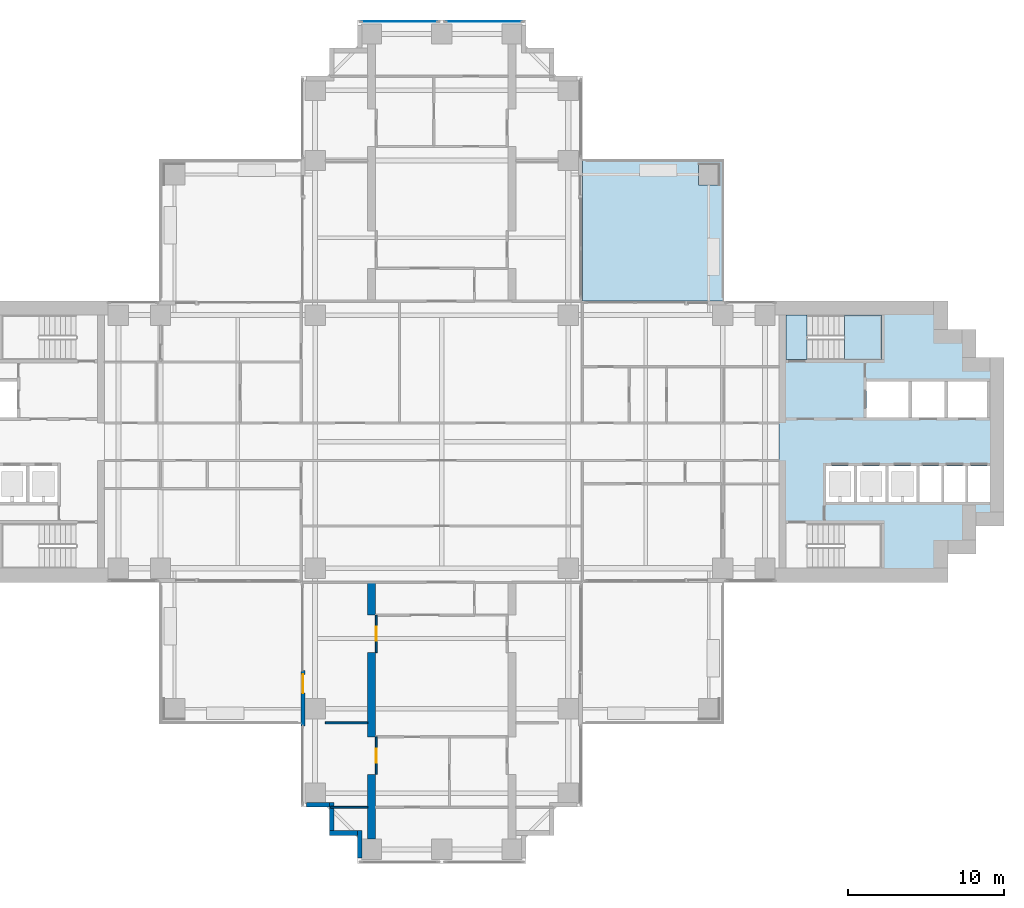
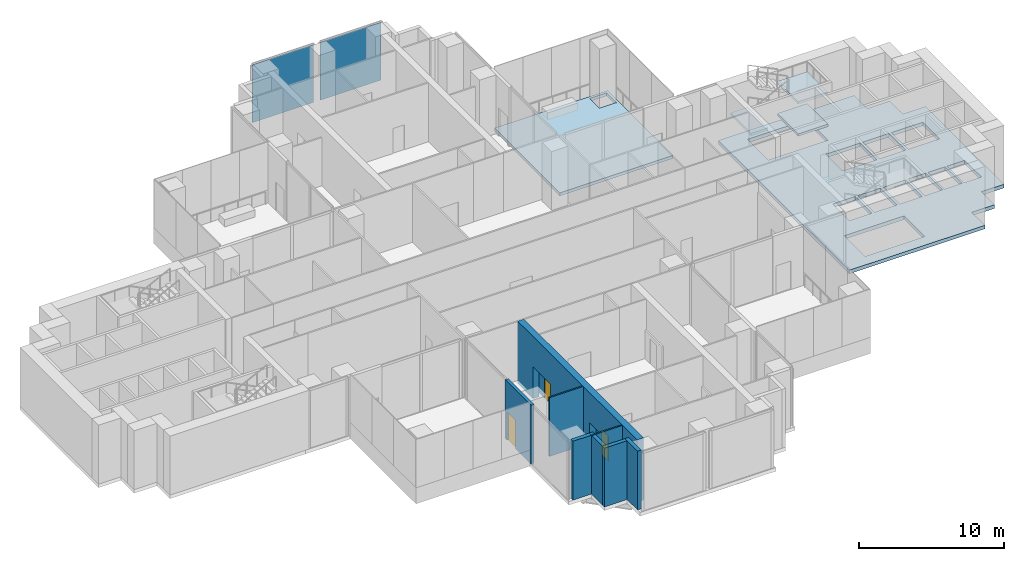
# One storey, part 6 of 17: 10 walls, 5 slabs, 3 doors, 2 plates, 3 openings, 3 elements without a shape of their own.
"""IFC4 building model written with IfcOpenShell, lengths in metres."""

import ifcopenshell
import ifcopenshell.guid

model = None  # the IFC model being written
_history = None  # IfcOwnerHistory: only IFC2X3 demands one
_inside = {}  # id of a spatial element -> (the spatial element, [elements in it])
_under = {}  # id of a project, library or spatial element -> (it, [spatial elements below it])
_declared = {}  # id of a project -> (the project, [libraries it declares])
_typed = {}  # id of a type object -> (the type object, [elements of that type])
_made_of = {}  # id of a material, layer set ... -> (it, [elements and type objects made of it])


def new_model(schema):
    """Start an empty IFC model of exactly this schema.

    Asked for "IFC4X3", IfcOpenShell would pick the latest addendum, in which some entities
    have other attributes; the version numbers below select the first issue.
    IFC2X3 requires an IfcOwnerHistory on every rooted entity: one is made here for all.
    """
    global model, _history
    if schema == "IFC4X3":
        model = ifcopenshell.file(schema_version=(4, 3, 0, 0))
    else:
        model = ifcopenshell.file(schema=schema)
    _inside.clear()
    _under.clear()
    _declared.clear()
    _typed.clear()
    _made_of.clear()
    _history = None
    if model.schema == "IFC2X3":
        org = make("IfcOrganization", Name="unknown")
        user = make(
            "IfcPersonAndOrganization",
            ThePerson=make("IfcPerson", FamilyName="unknown"),
            TheOrganization=org,
        )
        app = make(
            "IfcApplication",
            ApplicationDeveloper=org,
            Version="unknown",
            ApplicationFullName="unknown",
            ApplicationIdentifier="unknown",
        )
        _history = make(
            "IfcOwnerHistory",
            OwningUser=user,
            OwningApplication=app,
            ChangeAction="ADDED",
            CreationDate=0,
        )
    return model


def make(cls, **values):
    """One entity of the class cls with the attributes given. An attribute that is None is left unset."""
    return model.create_entity(
        cls, **{name: value for name, value in values.items() if value is not None}
    )


def rooted(cls, **values):
    """An entity with a GlobalId (a new one), such as an element, a storey or a relation."""
    return make(cls, GlobalId=ifcopenshell.guid.new(), OwnerHistory=_history, **values)


def si_unit(unit_type, name, prefix=None):
    """IfcSIUnit, for example si_unit("LENGTHUNIT", "METRE", prefix="MILLI")."""
    return make("IfcSIUnit", UnitType=unit_type, Prefix=prefix, Name=name)


def assignment(units):
    """IfcUnitAssignment: the units of a project."""
    return None if units is None else make("IfcUnitAssignment", Units=units)


def point(xyz):
    """IfcCartesianPoint."""
    return None if xyz is None else make("IfcCartesianPoint", Coordinates=xyz)


def direction(xyz):
    """IfcDirection."""
    return None if xyz is None else make("IfcDirection", DirectionRatios=xyz)


def frame(location, z_axis=None, x_axis=None):
    """IfcAxis2Placement3D, a coordinate frame: its origin and axes. An axis left out is left unset."""
    return make(
        "IfcAxis2Placement3D",
        Location=point(location),
        Axis=direction(z_axis),
        RefDirection=direction(x_axis),
    )


def frame_2d(location, x_axis=None):
    """IfcAxis2Placement2D, a coordinate frame in the plane: its origin and x axis."""
    return make(
        "IfcAxis2Placement2D", Location=point(location), RefDirection=direction(x_axis)
    )


def origin():
    """The frame at (0, 0, 0) with its axes left unset."""
    return frame((0.0, 0.0, 0.0))


def origin_2d():
    """The frame at (0, 0) in the plane with its x axis left unset."""
    return frame_2d((0.0, 0.0))


def place(relative_to, where):
    """IfcLocalPlacement: puts the frame where relative to a parent placement (None: the world)."""
    return make(
        "IfcLocalPlacement", PlacementRelTo=relative_to, RelativePlacement=where
    )


def context(
    kind, dimensions, precision=None, world=None, true_north=None, identifier=None
):
    """IfcGeometricRepresentationContext, for example the 3D "Model" context."""
    return make(
        "IfcGeometricRepresentationContext",
        ContextIdentifier=identifier,
        ContextType=kind,
        CoordinateSpaceDimension=dimensions,
        Precision=precision,
        WorldCoordinateSystem=world,
        TrueNorth=true_north,
    )


def subcontext(parent, identifier, kind, view, scale=None):
    """IfcGeometricRepresentationSubContext, for example "Body" below "Model"."""
    return make(
        "IfcGeometricRepresentationSubContext",
        ContextIdentifier=identifier,
        ContextType=kind,
        ParentContext=parent,
        TargetScale=scale,
        TargetView=view,
    )


def project(units=None, contexts=None):
    """IfcProject with its units and contexts."""
    return rooted(
        "IfcProject",
        Name="project",
        RepresentationContexts=contexts,
        UnitsInContext=assignment(units),
    )


def spatial(cls, under=None, at=None, **own):
    """A site, building, storey or space (cls), placed at a placement, below another one or the project."""
    s = rooted(cls, ObjectPlacement=at, **own)
    if under is not None:
        _under.setdefault(under.id(), (under, []))[1].append(s)
    return s


def polyline(points):
    """IfcPolyline through the points."""
    return make("IfcPolyline", Points=[point(p) for p in points])


def profile(cls, at=None, kind="AREA", **sizes):
    """A parametric profile (cls). Its sizes go by their IFC names, for example OverallWidth=200.0."""
    return make(cls, ProfileType=kind, Position=at, **sizes)


def rectangle(**sizes):
    """IfcRectangleProfileDef."""
    return profile("IfcRectangleProfileDef", **sizes)


def outline(outer, holes=None, kind="AREA"):
    """IfcArbitraryClosedProfileDef: a profile drawn as a closed curve; with holes, ...WithVoids."""
    if holes is None:
        return make("IfcArbitraryClosedProfileDef", ProfileType=kind, OuterCurve=outer)
    return make(
        "IfcArbitraryProfileDefWithVoids",
        ProfileType=kind,
        OuterCurve=outer,
        InnerCurves=holes,
    )


def extrude(swept, where, along, depth):
    """IfcExtrudedAreaSolid: the profile swept, set in the frame where, extruded along a direction by depth."""
    return make(
        "IfcExtrudedAreaSolid",
        SweptArea=swept,
        Position=where,
        ExtrudedDirection=direction(along),
        Depth=depth,
    )


def shape(context_of_items, identifier, shape_type, items):
    """IfcShapeRepresentation: the items that make up one representation, for example the "Body"."""
    return make(
        "IfcShapeRepresentation",
        ContextOfItems=context_of_items,
        RepresentationIdentifier=identifier,
        RepresentationType=shape_type,
        Items=items,
    )


def material(Name=None, Category=None):
    """IfcMaterial."""
    return make("IfcMaterial", Name=Name, Category=Category)


def layer(
    of_material, thickness, ventilated=None, Name=None, Category=None, Priority=None
):
    """IfcMaterialLayer: one layer of a wall or slab, of a material (None: an air gap)."""
    return make(
        "IfcMaterialLayer",
        Material=of_material,
        LayerThickness=thickness,
        IsVentilated=ventilated,
        Name=Name,
        Category=Category,
        Priority=Priority,
    )


def layer_set(layers, Name=None):
    """IfcMaterialLayerSet."""
    return make("IfcMaterialLayerSet", MaterialLayers=layers, LayerSetName=Name)


def material_profile(
    of_material, cross_section, Name=None, Category=None, Priority=None
):
    """IfcMaterialProfile: a cross section and its material."""
    return make(
        "IfcMaterialProfile",
        Name=Name,
        Material=of_material,
        Profile=cross_section,
        Priority=Priority,
        Category=Category,
    )


def profile_set(profiles, Name=None, composite=None):
    """IfcMaterialProfileSet."""
    return make(
        "IfcMaterialProfileSet",
        Name=Name,
        MaterialProfiles=profiles,
        CompositeProfile=composite,
    )


def made_of(thing, what):
    """Note that an element or type object is made of a material, layer set ...; save() writes the relation."""
    if what is not None:
        _made_of.setdefault(what.id(), (what, []))[1].append(thing)
    return thing


def type_object(cls, material=None, **own):
    """A type object (cls), such as IfcWallType, which elements share."""
    return made_of(rooted(cls, **own), material)


def element(
    cls,
    number,
    at=None,
    inside=None,
    cuts=None,
    type_object=None,
    material=None,
    context=None,
    identifier="Body",
    shape_type=None,
    held_by="IfcProductDefinitionShape",
    body=None,
    shapes=None,
    **own,
):
    """One element of the class cls, such as IfcWall. Its Tag is "e" and its number.

    at: its placement. inside: the storey or other place that contains it. cuts: it is an
    opening in that element (IfcRelVoidsElement). A single representation is given by context,
    identifier, shape_type and body (its items); several are given by shapes. held_by: the class
    of the entity that holds the representations. save() writes the other relations.
    """
    e = rooted(cls, Tag="e%d" % number, ObjectPlacement=at, **own)
    if body is not None:
        shapes = [shape(context, identifier, shape_type, body)]
    if shapes is not None:
        e.Representation = make(held_by, Representations=shapes)
    if inside is not None:
        _inside.setdefault(inside.id(), (inside, []))[1].append(e)
    if cuts is not None:
        rooted(
            "IfcRelVoidsElement", RelatingBuildingElement=cuts, RelatedOpeningElement=e
        )
    if type_object is not None:
        _typed.setdefault(type_object.id(), (type_object, []))[1].append(e)
    return made_of(e, material)


def fill(opening, filler):
    """IfcRelFillsElement: the door or window that sits in an opening."""
    return rooted(
        "IfcRelFillsElement",
        RelatingOpeningElement=opening,
        RelatedBuildingElement=filler,
    )


def aggregate(whole, parts):
    """IfcRelAggregates: a whole, such as a stair, and the parts it consists of."""
    return rooted("IfcRelAggregates", RelatingObject=whole, RelatedObjects=parts)


def save(model, path):
    """Write the relations noted so far, then the file.

    IfcRelAggregates (storeys below a building ...), IfcRelContainedInSpatialStructure (elements
    in a storey), IfcRelDefinesByType, IfcRelAssociatesMaterial and IfcRelDeclares: one each for
    every whole, place, type object, material and project.
    """
    for whole, parts in _under.values():
        aggregate(whole, parts)
    for where, things in _inside.values():
        rooted(
            "IfcRelContainedInSpatialStructure",
            RelatedElements=things,
            RelatingStructure=where,
        )
    for kind, things in _typed.values():
        rooted("IfcRelDefinesByType", RelatedObjects=things, RelatingType=kind)
    for what, things in _made_of.values():
        rooted("IfcRelAssociatesMaterial", RelatedObjects=things, RelatingMaterial=what)
    for by, libraries in _declared.values():
        rooted("IfcRelDeclares", RelatingContext=by, RelatedDefinitions=libraries)
    model.write(path)


model = new_model("IFC4")

# Units and contexts
model_context = context("Model", 3, precision=1e-05, world=origin(), true_north=direction((0.0, 1.0)))
body_context = subcontext(model_context, "Body", "Model", "MODEL_VIEW")
ifc_project = project(units=[si_unit("LENGTHUNIT", "METRE"), si_unit("AREAUNIT", "SQUARE_METRE"), si_unit("VOLUMEUNIT", "CUBIC_METRE"), si_unit("PLANEANGLEUNIT", "RADIAN"), si_unit("MASSUNIT", "GRAM", prefix="KILO")], contexts=[model_context])

# Site, building, storey
site_placement = place(None, origin())
site = spatial("IfcSite", under=ifc_project, at=site_placement, CompositionType="ELEMENT")
building_placement = place(site_placement, origin())
building = spatial("IfcBuilding", under=site, at=building_placement, Name="Perihelion Cross Residences", CompositionType="ELEMENT")
storey_placement = place(building_placement, frame((0.0, 0.0, 92.5)))
storey = spatial("IfcBuildingStorey", under=building, at=storey_placement, Name="L21", CompositionType="ELEMENT", Elevation=92.5)

# Curtain wall, plate
ifc_material_1 = material(Name="Bronze anodised aluminium, tinted glazing", Category="aluminium")
curtain_wall_type = type_object("IfcCurtainWallType", Name="CW3", PredefinedType="NOTDEFINED", material=ifc_material_1)
curtain_wall_1_placement = place(storey_placement, origin())
curtain_wall_1 = element("IfcCurtainWall", 1, at=curtain_wall_1_placement, inside=storey, type_object=curtain_wall_type, Name="Curtain wall CW3 L21 north tip north bay 1", PredefinedType="NOTDEFINED")
ifc_material_2 = material(Name="Tinted laminated glass", Category="glass")
ifc_layer_1 = layer(ifc_material_2, 0.035888671875)
ifc_layer_set_1 = layer_set([ifc_layer_1], Name="CW3 panel")
plate_type = type_object("IfcPlateType", Name="CW3 panel", PredefinedType="CURTAIN_PANEL", material=ifc_layer_set_1)
plate_1_placement = place(storey_placement, frame((2.699951171875, 26.89990234375, 0.0), z_axis=(0.0, 0.0, 1.0), x_axis=(-1.0, 0.0, 0.0)))
plate_1 = element("IfcPlate", 2, at=plate_1_placement, type_object=plate_type, Name="CW3 panel 1", PredefinedType="CURTAIN_PANEL", context=body_context, shape_type="SweptSolid", body=[
    extrude(rectangle(XDim=4.840087890625, YDim=0.035888671875, at=origin_2d()), origin(), (0.0, 0.0, 1.0), 4.8701171875),
])
aggregate(curtain_wall_1, [plate_1])

curtain_wall_2_placement = place(storey_placement, origin())
curtain_wall_2 = element("IfcCurtainWall", 3, at=curtain_wall_2_placement, inside=storey, type_object=curtain_wall_type, Name="Curtain wall CW3 L21 north tip north bay 2", PredefinedType="NOTDEFINED")
plate_2_placement = place(storey_placement, frame((-2.699951171875, 26.89990234375, 0.0), z_axis=(0.0, 0.0, 1.0), x_axis=(-1.0, 0.0, 0.0)))
plate_2 = element("IfcPlate", 4, at=plate_2_placement, type_object=plate_type, Name="CW3 panel 1", PredefinedType="CURTAIN_PANEL", context=body_context, shape_type="SweptSolid", body=[
    extrude(rectangle(XDim=4.840087890625, YDim=0.035888671875, at=origin_2d()), origin(), (0.0, 0.0, 1.0), 4.8701171875),
])
aggregate(curtain_wall_2, [plate_2])

# Slabs
ifc_material_3 = material(Name="Concrete C40/50", Category="concrete")
ifc_layer_2 = layer(ifc_material_3, 0.300048828125)
ifc_layer_set_2 = layer_set([ifc_layer_2], Name="Core floor slab 300")
slab_type_1 = type_object("IfcSlabType", Name="Core floor slab 300", PredefinedType="FLOOR", material=ifc_layer_set_2)
slab_1_placement = place(storey_placement, frame((0.0, 0.0, -0.300048828125)))
element("IfcSlab", 5, at=slab_1_placement, inside=storey, type_object=slab_type_1, Name="East core floor slab", PredefinedType="FLOOR", context=body_context, shape_type="SweptSolid", body=[
    extrude(outline(polyline([(32.39990234375, 7.199951171875), (34.199951171875, 7.199951171875), (34.199951171875, 5.39990234375), (36.0, 5.39990234375), (36.0, -5.39990234375), (34.199951171875, -5.39990234375), (34.199951171875, -7.199951171875), (32.39990234375, -7.199951171875), (32.39990234375, -9.0), (21.60009765625, -9.0), (21.60009765625, 9.0), (32.39990234375, 9.0), (32.39990234375, 7.199951171875)]), holes=[polyline([(23.405029296875, -8.10009765625), (28.14990234375, -8.10009765625), (28.14990234375, -5.25), (23.405029296875, -5.25), (23.405029296875, -8.10009765625)]), polyline([(24.60009765625, -1.550048828125), (24.60009765625, -3.85009765625), (26.39990234375, -3.85009765625), (26.39990234375, -1.550048828125), (24.60009765625, -1.550048828125)]), polyline([(26.60009765625, -1.550048828125), (26.60009765625, -3.85009765625), (28.39990234375, -3.85009765625), (28.39990234375, -1.550048828125), (26.60009765625, -1.550048828125)]), polyline([(30.39990234375, -1.550048828125), (28.60009765625, -1.550048828125), (28.60009765625, -3.85009765625), (30.39990234375, -3.85009765625), (30.39990234375, -1.550048828125)]), polyline([(29.89990234375, 3.85009765625), (27.199951171875, 3.85009765625), (27.199951171875, 1.550048828125), (29.89990234375, 1.550048828125), (29.89990234375, 3.85009765625)]), polyline([(23.405029296875, 5.25), (28.14990234375, 5.25), (28.14990234375, 8.10009765625), (23.405029296875, 8.10009765625), (23.405029296875, 5.25)]), polyline([(32.0, -1.550048828125), (30.60009765625, -1.550048828125), (30.60009765625, -3.85009765625), (32.0, -3.85009765625), (32.0, -1.550048828125)]), polyline([(33.550048828125, -1.550048828125), (32.14990234375, -1.550048828125), (32.14990234375, -3.85009765625), (33.550048828125, -3.85009765625), (33.550048828125, -1.550048828125)]), polyline([(33.699951171875, -1.550048828125), (33.699951171875, -3.85009765625), (35.10009765625, -3.85009765625), (35.10009765625, -1.550048828125), (33.699951171875, -1.550048828125)]), polyline([(32.199951171875, 3.85009765625), (30.10009765625, 3.85009765625), (30.10009765625, 1.550048828125), (32.199951171875, 1.550048828125), (32.199951171875, 3.85009765625)]), polyline([(34.89990234375, 3.85009765625), (32.39990234375, 3.85009765625), (32.39990234375, 1.550048828125), (34.89990234375, 1.550048828125), (34.89990234375, 3.85009765625)])]), origin(), (0.0, 0.0, 1.0), 0.300048828125),
])
ifc_material_4 = material(Name="Concrete C40/50", Category="concrete")
ifc_layer_3 = layer(ifc_material_4, 0.25)
ifc_layer_set_3 = layer_set([ifc_layer_3], Name="Corner terrace slab")
slab_type_2 = type_object("IfcSlabType", Name="Corner terrace slab", PredefinedType="FLOOR", material=ifc_layer_set_3)
slab_2_placement = place(storey_placement, frame((0.0, 0.0, -0.25)))
element("IfcSlab", 6, at=slab_2_placement, inside=storey, type_object=slab_type_2, Name="Slab BK2 L21 pocket north-east", PredefinedType="FLOOR", context=body_context, shape_type="SweptSolid", body=[
    extrude(outline(polyline([(18.0, 9.0), (18.0, 18.0), (9.0, 18.0), (9.0, 9.0), (18.0, 9.0)]), holes=[polyline([(16.449951171875, 16.449951171875), (16.449951171875, 17.7900390625), (17.7900390625, 17.7900390625), (17.7900390625, 16.409912109375), (17.75, 16.409912109375), (17.75, 16.449951171875), (16.449951171875, 16.449951171875)])]), origin(), (0.0, 0.0, 1.0), 0.25),
])

# Stair, slabs
ifc_material_5 = material(Name="Concrete C40/50", Category="concrete")
stair_type = type_object("IfcStairType", Name="Exit stair, half-turn", PredefinedType="HALF_TURN_STAIR", material=ifc_material_5)
stair_placement = place(storey_placement, origin())
stair = element("IfcStair", 7, at=stair_placement, inside=storey, type_object=stair_type, Name="L21 East core exit stair 1", PredefinedType="HALF_TURN_STAIR")
ifc_material_6 = material(Name="Concrete C40/50", Category="concrete")
ifc_layer_4 = layer(ifc_material_6, 0.199951171875)
ifc_layer_set_4 = layer_set([ifc_layer_4], Name="Exit stair landing 200")
slab_type_3 = type_object("IfcSlabType", Name="Exit stair landing 200", PredefinedType="LANDING", material=ifc_layer_set_4)
slab_3_placement = place(storey_placement, frame((0.0, 0.0, 1.14990234375)))
slab_3 = element("IfcSlab", 8, at=slab_3_placement, type_object=slab_type_3, Name="ST-E1 landing 1", PredefinedType="LANDING", context=body_context, shape_type="SweptSolid", body=[
    extrude(outline(polyline([(25.780029296875, 5.25), (28.14990234375, 5.25), (28.14990234375, 8.10009765625), (25.780029296875, 8.10009765625), (25.780029296875, 5.25)])), origin(), (0.0, 0.0, 1.0), 0.2001953125),
])
slab_4_placement = place(storey_placement, frame((0.0, 0.0, 2.5)))
slab_4 = element("IfcSlab", 9, at=slab_4_placement, type_object=slab_type_3, Name="ST-E1 landing 2", PredefinedType="LANDING", context=body_context, shape_type="SweptSolid", body=[
    extrude(outline(polyline([(22.050048828125, 5.25), (23.39990234375, 5.25), (23.39990234375, 8.10009765625), (22.050048828125, 8.10009765625), (22.050048828125, 5.25)])), origin(), (0.0, 0.0, 1.0), 0.199951171875),
])
slab_5_placement = place(storey_placement, frame((0.0, 0.0, 3.85009765625)))
slab_5 = element("IfcSlab", 10, at=slab_5_placement, type_object=slab_type_3, Name="ST-E1 landing 3", PredefinedType="LANDING", context=body_context, shape_type="SweptSolid", body=[
    extrude(outline(polyline([(25.780029296875, 5.25), (28.14990234375, 5.25), (28.14990234375, 8.10009765625), (25.780029296875, 8.10009765625), (25.780029296875, 5.25)])), origin(), (0.0, 0.0, 1.0), 0.199951171875),
])
aggregate(stair, [slab_3, slab_4, slab_5])

# Wall, opening, door
ifc_material_7 = material(Name="Concrete C30/37, bronze-clad", Category="concrete")
ifc_layer_5 = layer(ifc_material_7, 0.25)
ifc_layer_set_5 = layer_set([ifc_layer_5], Name="Bronze-clad pier wall 250")
wall_type_1 = type_object("IfcWallType", Name="Bronze-clad pier wall 250", PredefinedType="SOLIDWALL", material=ifc_layer_set_5)
wall_1_placement = place(storey_placement, frame((-8.875, -14.64990234375, 0.0), z_axis=(0.0, 0.0, 1.0), x_axis=(0.0, -1.0, 0.0)))
wall_1 = element("IfcWall", 11, at=wall_1_placement, inside=storey, type_object=wall_type_1, Name="Wall FW1 L21 south side west bay 1 pier", PredefinedType="SOLIDWALL", context=body_context, shape_type="SweptSolid", body=[
    extrude(rectangle(XDim=3.550048828125, YDim=0.25, at=frame_2d((1.77490234375, 0.0))), origin(), (0.0, 0.0, 1.0), 4.949951171875),
])
opening_1_placement = place(wall_1_placement, frame((0.25, 0.0, 0.0)))
opening_1 = element("IfcOpeningElement", 12, at=opening_1_placement, cuts=wall_1, Name="Opening L21.E06", PredefinedType="OPENING", context=body_context, shape_type="SweptSolid", body=[
    extrude(rectangle(XDim=1.199951171875, YDim=2.39990234375, at=frame_2d((0.60009765625, 1.199951171875))), frame((0.0, 0.135009765625, 0.0), z_axis=(0.0, -1.0, 0.0), x_axis=(1.0, 0.0, 0.0)), (0.0, 0.0, 1.0), 0.27001953125),
])
ifc_material_8 = material(Name="Bronze anodised aluminium, glazed", Category="aluminium")
door_type_1 = type_object("IfcDoorType", Name="Balcony door 1200 x 2400", OperationType="NOTDEFINED", PredefinedType="DOOR", material=ifc_material_8)
door_1_placement = place(opening_1_placement, origin())
door_1 = element("IfcDoor", 13, at=door_1_placement, inside=storey, type_object=door_type_1, Name="Door L21.E06 south side west bay 1", OperationType="SINGLE_SWING_LEFT", OverallHeight=2.39990234375, OverallWidth=1.199951171875, PredefinedType="DOOR", context=body_context, shape_type="SweptSolid", body=[
    extrude(rectangle(XDim=1.199951171875, YDim=2.39990234375, at=frame_2d((0.60009765625, 1.199951171875))), frame((0.0, 0.02490234375, 0.0), z_axis=(0.0, -1.0, 0.0), x_axis=(1.0, 0.0, 0.0)), (0.0, 0.0, 1.0), 0.050048828125),
])
fill(opening_1, door_1)

# Walls
ifc_material_9 = material(Name="Concrete C30/37, bronze-clad", Category="concrete")
ifc_layer_6 = layer(ifc_material_9, 0.300048828125)
ifc_layer_set_6 = layer_set([ifc_layer_6], Name="Bronze-clad serration wall 300")
wall_type_2 = type_object("IfcWallType", Name="Bronze-clad serration wall 300", PredefinedType="SOLIDWALL", material=ifc_layer_set_6)
wall_2_placement = place(storey_placement, frame((-8.64990234375, -23.25, 0.0), z_axis=(0.0, 0.0, 1.0), x_axis=(1.0, 0.0, 0.0)))
element("IfcWall", 14, at=wall_2_placement, inside=storey, type_object=wall_type_2, Name="Wall SR1 L21 south corner south-west 1", PredefinedType="SOLIDWALL", context=body_context, shape_type="SweptSolid", body=[
    extrude(rectangle(XDim=1.449951171875, YDim=0.300048828125, at=frame_2d((0.72509765625, 0.0))), origin(), (0.0, 0.0, 1.0), 4.949951171875),
])
wall_3_placement = place(storey_placement, frame((-7.050048828125, -23.10009765625, 0.0), z_axis=(0.0, 0.0, 1.0), x_axis=(0.0, -1.0, 0.0)))
element("IfcWall", 15, at=wall_3_placement, inside=storey, type_object=wall_type_2, Name="Wall SR1 L21 south corner south-west 2", PredefinedType="SOLIDWALL", context=body_context, shape_type="SweptSolid", body=[
    extrude(rectangle(XDim=1.7998046875, YDim=0.300048828125, at=frame_2d((0.89990234375, 0.0))), origin(), (0.0, 0.0, 1.0), 4.949951171875),
])
wall_4_placement = place(storey_placement, frame((-7.199951171875, -25.050048828125, 0.0), z_axis=(0.0, 0.0, 1.0), x_axis=(1.0, 0.0, 0.0)))
element("IfcWall", 16, at=wall_4_placement, inside=storey, type_object=wall_type_2, Name="Wall SR1 L21 south corner south-west 3", PredefinedType="SOLIDWALL", context=body_context, shape_type="SweptSolid", body=[
    extrude(rectangle(XDim=1.800048828125, YDim=0.300048828125, at=frame_2d((0.89990234375, 0.0))), origin(), (0.0, 0.0, 1.0), 4.949951171875),
])
wall_5_placement = place(storey_placement, frame((-5.25, -24.89990234375, 0.0), z_axis=(0.0, 0.0, 1.0), x_axis=(0.0, -1.0, 0.0)))
element("IfcWall", 17, at=wall_5_placement, inside=storey, type_object=wall_type_2, Name="Wall SR1 L21 south corner south-west 4", PredefinedType="SOLIDWALL", context=body_context, shape_type="SweptSolid", body=[
    extrude(rectangle(XDim=1.75, YDim=0.300048828125, at=frame_2d((0.875, 0.0))), origin(), (0.0, 0.0, 1.0), 4.949951171875),
])

# Wall, opening, door
ifc_material_10 = material(Name="Plasterboard partition")
ifc_layer_7 = layer(ifc_material_10, 0.1201171875)
ifc_layer_set_7 = layer_set([ifc_layer_7], Name="Infill panel 120")
wall_type_3 = type_object("IfcWallType", Name="Infill panel 120", PredefinedType="PARTITIONING", material=ifc_layer_set_7)
wall_6_placement = place(storey_placement, frame((-4.18994140625, -11.10009765625, 0.0), z_axis=(0.0, 0.0, 1.0), x_axis=(0.0, -1.0, 0.0)))
wall_6 = element("IfcWall", 18, at=wall_6_placement, inside=storey, type_object=wall_type_3, Name="Partition L21 WI07", PredefinedType="PARTITIONING", context=body_context, shape_type="SweptSolid", body=[
    extrude(rectangle(XDim=2.39990234375, YDim=0.1201171875, at=frame_2d((1.199951171875, 0.0))), origin(), (0.0, 0.0, 1.0), 2.39990234375),
])
opening_2_placement = place(wall_6_placement, frame((0.75, 0.0, 0.0)))
opening_2 = element("IfcOpeningElement", 19, at=opening_2_placement, cuts=wall_6, Name="Opening L21.A42", PredefinedType="OPENING", context=body_context, shape_type="SweptSolid", body=[
    extrude(rectangle(XDim=0.89990234375, YDim=2.10009765625, at=frame_2d((0.449951171875, 1.050048828125))), frame((0.0, 0.070068359375, 0.0), z_axis=(0.0, -1.0, 0.0), x_axis=(1.0, 0.0, 0.0)), (0.0, 0.0, 1.0), 0.14013671875),
])
ifc_material_11 = material(Name="Timber door leaf", Category="wood")
door_type_2 = type_object("IfcDoorType", Name="Interior room door 900 x 2100", OperationType="SINGLE_SWING_LEFT", PredefinedType="DOOR", material=ifc_material_11)
door_2_placement = place(opening_2_placement, origin())
door_2 = element("IfcDoor", 20, at=door_2_placement, inside=storey, type_object=door_type_2, Name="Door L21.A42", OperationType="SINGLE_SWING_RIGHT", OverallHeight=2.10009765625, OverallWidth=0.89990234375, PredefinedType="DOOR", context=body_context, shape_type="SweptSolid", body=[
    extrude(rectangle(XDim=0.89990234375, YDim=2.10009765625, at=frame_2d((0.449951171875, 1.050048828125))), frame((0.0, 0.02490234375, 0.0), z_axis=(0.0, -1.0, 0.0), x_axis=(1.0, 0.0, 0.0)), (0.0, 0.0, 1.0), 0.050048828125),
])
fill(opening_2, door_2)

wall_7_placement = place(storey_placement, frame((-4.18994140625, -18.89990234375, 0.0), z_axis=(0.0, 0.0, 1.0), x_axis=(0.0, -1.0, 0.0)))
wall_7 = element("IfcWall", 21, at=wall_7_placement, inside=storey, type_object=wall_type_3, Name="Partition L21 WI08", PredefinedType="PARTITIONING", context=body_context, shape_type="SweptSolid", body=[
    extrude(rectangle(XDim=2.400146484375, YDim=0.1201171875, at=frame_2d((1.2001953125, 0.0))), origin(), (0.0, 0.0, 1.0), 2.39990234375),
])
opening_3_placement = place(wall_7_placement, frame((0.75, 0.0, 0.0)))
opening_3 = element("IfcOpeningElement", 22, at=opening_3_placement, cuts=wall_7, Name="Opening L21.A43", PredefinedType="OPENING", context=body_context, shape_type="SweptSolid", body=[
    extrude(rectangle(XDim=0.89990234375, YDim=2.10009765625, at=frame_2d((0.449951171875, 1.050048828125))), frame((0.0, 0.070068359375, 0.0), z_axis=(0.0, -1.0, 0.0), x_axis=(1.0, 0.0, 0.0)), (0.0, 0.0, 1.0), 0.14013671875),
])
door_3_placement = place(opening_3_placement, origin())
door_3 = element("IfcDoor", 23, at=door_3_placement, inside=storey, type_object=door_type_2, Name="Door L21.A43", OperationType="SINGLE_SWING_LEFT", OverallHeight=2.10009765625, OverallWidth=0.89990234375, PredefinedType="DOOR", context=body_context, shape_type="SweptSolid", body=[
    extrude(rectangle(XDim=0.89990234375, YDim=2.10009765625, at=frame_2d((0.449951171875, 1.050048828125))), frame((0.0, 0.02490234375, 0.0), z_axis=(0.0, -1.0, 0.0), x_axis=(1.0, 0.0, 0.0)), (0.0, 0.0, 1.0), 0.050048828125),
])
fill(opening_3, door_3)

# Walls
ifc_material_12 = material(Name="Plasterboard partition")
ifc_layer_8 = layer(ifc_material_12, 0.1201171875)
ifc_layer_set_8 = layer_set([ifc_layer_8], Name="Partition wall 120")
wall_type_4 = type_object("IfcWallType", Name="Partition wall 120", PredefinedType="PARTITIONING", material=ifc_layer_set_8)
wall_8_placement = place(storey_placement, frame((-4.75, -18.0, 0.0), z_axis=(0.0, 0.0, 1.0), x_axis=(-1.0, 0.0, 0.0)))
element("IfcWall", 24, at=wall_8_placement, inside=storey, type_object=wall_type_4, Name="Partition L21 W056", PredefinedType="PARTITIONING", context=body_context, shape_type="SweptSolid", body=[
    extrude(rectangle(XDim=2.699951171875, YDim=0.1201171875, at=frame_2d((1.35009765625, 0.0))), origin(), (0.0, 0.0, 1.0), 4.949951171875),
])
wall_9_placement = place(storey_placement, frame((-4.75, -23.39990234375, 0.0), z_axis=(0.0, 0.0, 1.0), x_axis=(-1.0, 0.0, 0.0)))
element("IfcWall", 25, at=wall_9_placement, inside=storey, type_object=wall_type_4, Name="Partition L21 W057", PredefinedType="PARTITIONING", context=body_context, shape_type="SweptSolid", body=[
    extrude(rectangle(XDim=2.3701171875, YDim=0.1201171875, at=frame_2d((1.18505859375, 0.0))), origin(), (0.0, 0.0, 1.0), 4.949951171875),
])
ifc_material_13 = material(Name="Concrete C60/75", Category="concrete")
ifc_material_profile = material_profile(ifc_material_13, outline(polyline([(0.0, 0.0), (4.14990234375, 0.0), (4.14990234375, 2.699951171875), (6.550048828125, 2.699951171875), (6.550048828125, 0.0), (11.949951171875, 0.0), (11.949951171875, 2.699951171875), (14.35009765625, 2.699951171875), (14.35009765625, 0.0), (16.449951171875, 0.0), (16.449951171875, 5.25), (0.0, 5.25), (0.0, 0.0)])), Name="Tip spine wall")
ifc_profile_set = profile_set([ifc_material_profile], Name="Concrete C60/75")
wall_type_5 = type_object("IfcWallType", Name="Tip spine wall 500 with 2 door openings 16450 long 5250 high concrete C60/75", PredefinedType="SHEAR", material=ifc_profile_set)
wall_10_placement = place(storey_placement, frame((-4.75, -25.449951171875, -0.300048828125), z_axis=(1.0, 0.0, 0.0), x_axis=(0.0, 1.0, 0.0)))
element("IfcWall", 26, at=wall_10_placement, inside=storey, type_object=wall_type_5, Name="Shear wall SW28 L21 south west", PredefinedType="SHEAR", context=body_context, shape_type="SweptSolid", body=[
    extrude(outline(polyline([(0.0, 0.0), (4.14990234375, 0.0), (4.14990234375, 2.699951171875), (6.550048828125, 2.699951171875), (6.550048828125, 0.0), (11.949951171875, 0.0), (11.949951171875, 2.699951171875), (14.35009765625, 2.699951171875), (14.35009765625, 0.0), (16.449951171875, 0.0), (16.449951171875, 5.25), (0.0, 5.25), (0.0, 0.0)])), origin(), (0.0, 0.0, 1.0), 0.5),
])

save(model, "model.ifc")
